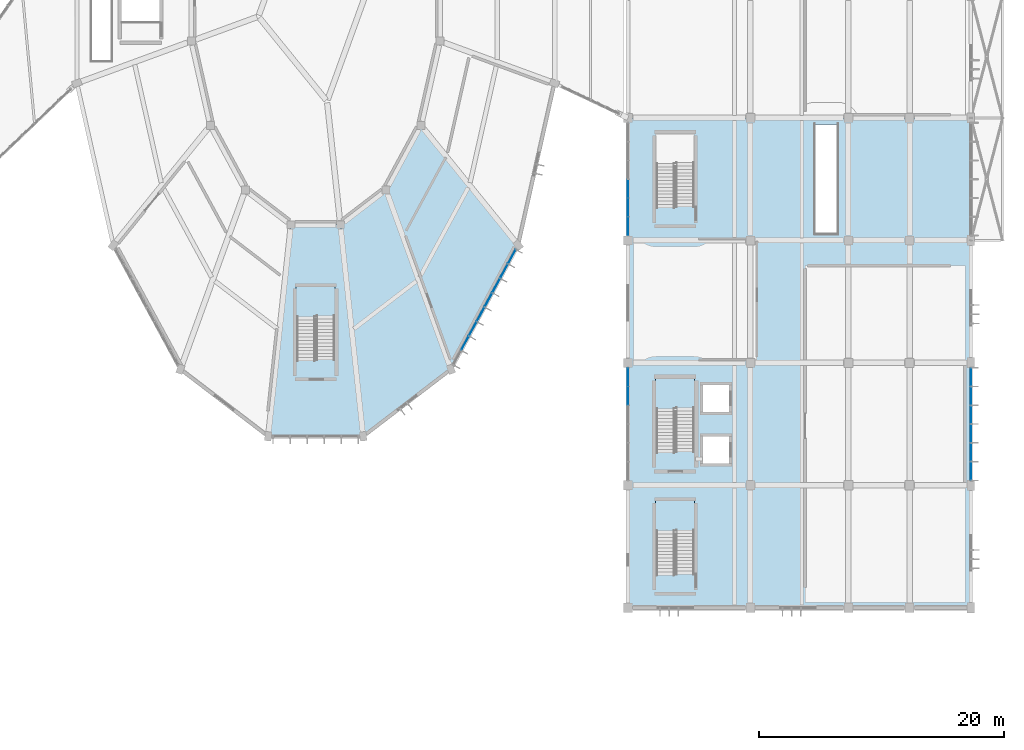
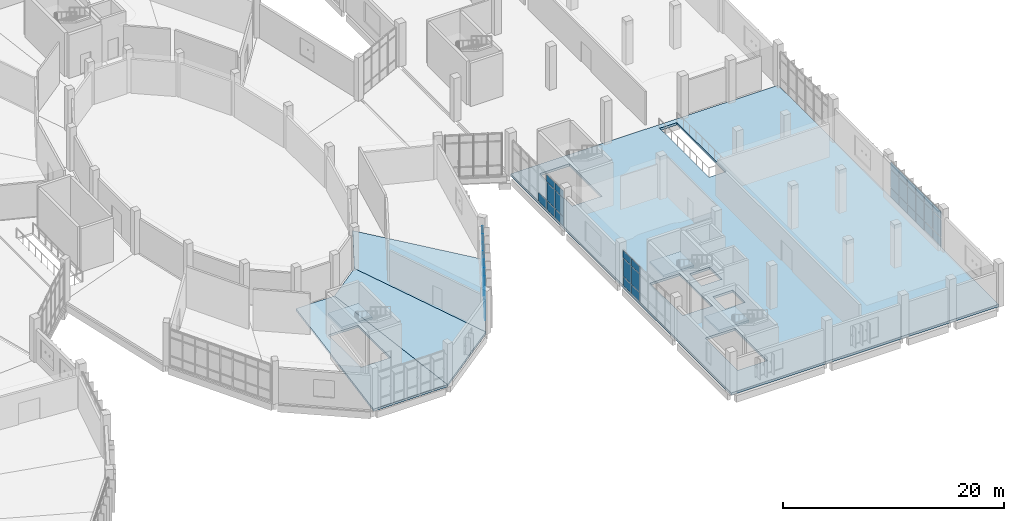
# One storey, part 101 of 179: 52 plates, 7 slabs, 7 elements without a shape of their own.
"""IFC4 building model written with IfcOpenShell, lengths in metres."""

from ifc_helpers import new_model, si_unit, direction, frame, origin, origin_2d, place, context, subcontext, project, spatial, polyline, rectangle, outline, extrude, material, layer, layer_set, type_object, element, aggregate, save


model = new_model("IFC4")

# Units and contexts
model_context = context("Model", 3, precision=1e-05, world=origin(), true_north=direction((0.0, 1.0)))
body_context = subcontext(model_context, "Body", "Model", "MODEL_VIEW")
ifc_project = project(units=[si_unit("LENGTHUNIT", "METRE"), si_unit("AREAUNIT", "SQUARE_METRE"), si_unit("VOLUMEUNIT", "CUBIC_METRE"), si_unit("PLANEANGLEUNIT", "RADIAN"), si_unit("MASSUNIT", "GRAM", prefix="KILO")], contexts=[model_context])

# Site, building, storey
site_placement = place(None, origin())
site = spatial("IfcSite", under=ifc_project, at=site_placement, CompositionType="ELEMENT")
building_placement = place(site_placement, origin())
building = spatial("IfcBuilding", under=site, at=building_placement, Name="Corvandel Quay Wholesale Market", CompositionType="ELEMENT")
storey_placement = place(building_placement, frame((0.0, 0.0, 6.0)))
storey = spatial("IfcBuildingStorey", under=building, at=storey_placement, Name="L01", CompositionType="ELEMENT", Elevation=6.0)

# Curtain wall, plates
ifc_material_1 = material(Name="Bronze anodised aluminium and low-E insulated glazing", Category="aluminium")
ifc_layer_1 = layer(ifc_material_1, 0.18603515625)
ifc_layer_set_1 = layer_set([ifc_layer_1], Name="Bronze anodised aluminium and low-E insulated glazing")
curtain_wall_type_1 = type_object("IfcCurtainWallType", Name="Stick Curtain Wall System CW23 H5070", PredefinedType="NOTDEFINED", material=ifc_layer_set_1)
curtain_wall_1_placement = place(storey_placement, origin())
curtain_wall_1 = element("IfcCurtainWall", 1, at=curtain_wall_1_placement, inside=storey, type_object=curtain_wall_type_1, Name="Curtain Wall CW-0140", PredefinedType="NOTDEFINED")
ifc_material_2 = material(Name="Solar-control low-E insulated glazing", Category="glass")
ifc_layer_2 = layer(ifc_material_2, 0.0400390625)
ifc_layer_set_2 = layer_set([ifc_layer_2], Name="Solar-control low-E insulated glazing")
plate_type_1 = type_object("IfcPlateType", Name="Ceramic Fritted Spandrel Panel PN03 40mm", PredefinedType="CURTAIN_PANEL", material=ifc_layer_set_2)
plate_1_placement = place(storey_placement, frame((206.693603515625, 31.599609375, 3.1298828125), z_axis=(0.0, 0.0, 1.0), x_axis=(0.476238203668, 0.879316310191, 0.0)))
plate_1 = element("IfcPlate", 2, at=plate_1_placement, type_object=plate_type_1, Name="Glazing Panel CW-0140-P01-2", PredefinedType="CURTAIN_PANEL", context=body_context, shape_type="SweptSolid", body=[
    extrude(rectangle(XDim=1.274658203125, YDim=0.0400390625, at=origin_2d()), origin(), (0.0, 0.0, 1.0), 0.7900390625),
])
plate_2_placement = place(storey_placement, frame((207.33154296875, 32.777587890625, 3.1298828125), z_axis=(0.0, 0.0, 1.0), x_axis=(0.476238203668, 0.879316310191, 0.0)))
plate_2 = element("IfcPlate", 3, at=plate_2_placement, type_object=plate_type_1, Name="Glazing Panel CW-0140-P02-2", PredefinedType="CURTAIN_PANEL", context=body_context, shape_type="SweptSolid", body=[
    extrude(rectangle(XDim=1.274658203125, YDim=0.0400390625, at=origin_2d()), origin(), (0.0, 0.0, 1.0), 0.7900390625),
])
plate_3_placement = place(storey_placement, frame((207.969482421875, 33.95556640625, 3.1298828125), z_axis=(0.0, 0.0, 1.0), x_axis=(0.476238203668, 0.879316310191, 0.0)))
plate_3 = element("IfcPlate", 4, at=plate_3_placement, type_object=plate_type_1, Name="Glazing Panel CW-0140-P03-2", PredefinedType="CURTAIN_PANEL", context=body_context, shape_type="SweptSolid", body=[
    extrude(rectangle(XDim=1.274658203125, YDim=0.0400390625, at=origin_2d()), origin(), (0.0, 0.0, 1.0), 0.7900390625),
])
plate_4_placement = place(storey_placement, frame((208.607421875, 35.133544921875, 3.1298828125), z_axis=(0.0, 0.0, 1.0), x_axis=(0.476238203668, 0.879316310191, 0.0)))
plate_4 = element("IfcPlate", 5, at=plate_4_placement, type_object=plate_type_1, Name="Glazing Panel CW-0140-P04-2", PredefinedType="CURTAIN_PANEL", context=body_context, shape_type="SweptSolid", body=[
    extrude(rectangle(XDim=1.274658203125, YDim=0.0400390625, at=origin_2d()), origin(), (0.0, 0.0, 1.0), 0.7900390625),
])
plate_5_placement = place(storey_placement, frame((209.24560546875, 36.311279296875, 3.1298828125), z_axis=(0.0, 0.0, 1.0), x_axis=(0.476238203668, 0.879316310191, 0.0)))
plate_5 = element("IfcPlate", 6, at=plate_5_placement, type_object=plate_type_1, Name="Glazing Panel CW-0140-P05-2", PredefinedType="CURTAIN_PANEL", context=body_context, shape_type="SweptSolid", body=[
    extrude(rectangle(XDim=1.274658203125, YDim=0.0400390625, at=origin_2d()), origin(), (0.0, 0.0, 1.0), 0.7900390625),
])
plate_6_placement = place(storey_placement, frame((209.883544921875, 37.489501953125, 3.1298828125), z_axis=(0.0, 0.0, 1.0), x_axis=(0.476238203668, 0.879316310191, 0.0)))
plate_6 = element("IfcPlate", 7, at=plate_6_placement, type_object=plate_type_1, Name="Glazing Panel CW-0140-P06-2", PredefinedType="CURTAIN_PANEL", context=body_context, shape_type="SweptSolid", body=[
    extrude(rectangle(XDim=1.274658203125, YDim=0.0400390625, at=origin_2d()), origin(), (0.0, 0.0, 1.0), 0.7900390625),
])
plate_7_placement = place(storey_placement, frame((210.521484375, 38.667236328125, 3.1298828125), z_axis=(0.0, 0.0, 1.0), x_axis=(0.476238203668, 0.879316310191, 0.0)))
plate_7 = element("IfcPlate", 8, at=plate_7_placement, type_object=plate_type_1, Name="Glazing Panel CW-0140-P07-2", PredefinedType="CURTAIN_PANEL", context=body_context, shape_type="SweptSolid", body=[
    extrude(rectangle(XDim=1.274658203125, YDim=0.0400390625, at=origin_2d()), origin(), (0.0, 0.0, 1.0), 0.7900390625),
])

ifc_layer_3 = layer(ifc_material_1, 0.197998046875)
ifc_layer_set_3 = layer_set([ifc_layer_3], Name="Bronze anodised aluminium and low-E insulated glazing")
curtain_wall_type_2 = type_object("IfcCurtainWallType", Name="Stick Curtain Wall System CW14 H4260", PredefinedType="NOTDEFINED", material=ifc_layer_set_3)
curtain_wall_2_placement = place(storey_placement, origin())
curtain_wall_2 = element("IfcCurtainWall", 9, at=curtain_wall_2_placement, inside=storey, type_object=curtain_wall_type_2, Name="Curtain Wall CW-0149", PredefinedType="NOTDEFINED")
plate_8_placement = place(storey_placement, frame((248.0, 21.166748046875, 3.1298828125), z_axis=(0.0, 0.0, 1.0), x_axis=(0.0, 1.0, 0.0)))
plate_8 = element("IfcPlate", 10, at=plate_8_placement, type_object=plate_type_1, Name="Glazing Panel CW-0149-P00-2", PredefinedType="CURTAIN_PANEL", context=body_context, shape_type="SweptSolid", body=[
    extrude(rectangle(XDim=1.46826171875, YDim=0.0400390625, at=origin_2d()), origin(), (0.0, 0.0, 1.0), 0.7900390625),
])
plate_9_placement = place(storey_placement, frame((248.0, 22.699951171875, 3.1298828125), z_axis=(0.0, 0.0, 1.0), x_axis=(0.0, 1.0, 0.0)))
plate_9 = element("IfcPlate", 11, at=plate_9_placement, type_object=plate_type_1, Name="Glazing Panel CW-0149-P01-2", PredefinedType="CURTAIN_PANEL", context=body_context, shape_type="SweptSolid", body=[
    extrude(rectangle(XDim=1.46826171875, YDim=0.0400390625, at=origin_2d()), origin(), (0.0, 0.0, 1.0), 0.7900390625),
])
plate_10_placement = place(storey_placement, frame((248.0, 24.2333984375, 3.1298828125), z_axis=(0.0, 0.0, 1.0), x_axis=(0.0, 1.0, 0.0)))
plate_10 = element("IfcPlate", 12, at=plate_10_placement, type_object=plate_type_1, Name="Glazing Panel CW-0149-P02-2", PredefinedType="CURTAIN_PANEL", context=body_context, shape_type="SweptSolid", body=[
    extrude(rectangle(XDim=1.46826171875, YDim=0.0400390625, at=origin_2d()), origin(), (0.0, 0.0, 1.0), 0.7900390625),
])
plate_11_placement = place(storey_placement, frame((248.0, 25.7666015625, 3.1298828125), z_axis=(0.0, 0.0, 1.0), x_axis=(0.0, 1.0, 0.0)))
plate_11 = element("IfcPlate", 13, at=plate_11_placement, type_object=plate_type_1, Name="Glazing Panel CW-0149-P03-2", PredefinedType="CURTAIN_PANEL", context=body_context, shape_type="SweptSolid", body=[
    extrude(rectangle(XDim=1.46826171875, YDim=0.0400390625, at=origin_2d()), origin(), (0.0, 0.0, 1.0), 0.7900390625),
])
plate_12_placement = place(storey_placement, frame((248.0, 27.300048828125, 3.1298828125), z_axis=(0.0, 0.0, 1.0), x_axis=(0.0, 1.0, 0.0)))
plate_12 = element("IfcPlate", 14, at=plate_12_placement, type_object=plate_type_1, Name="Glazing Panel CW-0149-P04-2", PredefinedType="CURTAIN_PANEL", context=body_context, shape_type="SweptSolid", body=[
    extrude(rectangle(XDim=1.46826171875, YDim=0.0400390625, at=origin_2d()), origin(), (0.0, 0.0, 1.0), 0.7900390625),
])
plate_13_placement = place(storey_placement, frame((248.0, 28.833251953125, 3.1298828125), z_axis=(0.0, 0.0, 1.0), x_axis=(0.0, 1.0, 0.0)))
plate_13 = element("IfcPlate", 15, at=plate_13_placement, type_object=plate_type_1, Name="Glazing Panel CW-0149-P05-2", PredefinedType="CURTAIN_PANEL", context=body_context, shape_type="SweptSolid", body=[
    extrude(rectangle(XDim=1.46826171875, YDim=0.0400390625, at=origin_2d()), origin(), (0.0, 0.0, 1.0), 0.7900390625),
])

ifc_layer_4 = layer(ifc_material_1, 0.14990234375)
ifc_layer_set_4 = layer_set([ifc_layer_4], Name="Bronze anodised aluminium and low-E insulated glazing")
curtain_wall_type_3 = type_object("IfcCurtainWallType", Name="Stick Curtain Wall System CW20 H4800", PredefinedType="NOTDEFINED", material=ifc_layer_set_4)
curtain_wall_3_placement = place(storey_placement, origin())
curtain_wall_3 = element("IfcCurtainWall", 16, at=curtain_wall_3_placement, inside=storey, type_object=curtain_wall_type_3, Name="Curtain Wall CW-0150", PredefinedType="NOTDEFINED")
plate_14_placement = place(storey_placement, frame((220.0, 27.300048828125, 3.1298828125), z_axis=(0.0, 0.0, 1.0), x_axis=(0.0, 1.0, 0.0)))
plate_14 = element("IfcPlate", 17, at=plate_14_placement, type_object=plate_type_1, Name="Glazing Panel CW-0150-P04-2", PredefinedType="CURTAIN_PANEL", context=body_context, shape_type="SweptSolid", body=[
    extrude(rectangle(XDim=1.46826171875, YDim=0.0400390625, at=origin_2d()), origin(), (0.0, 0.0, 1.0), 0.7900390625),
])
plate_15_placement = place(storey_placement, frame((220.0, 28.833251953125, 3.1298828125), z_axis=(0.0, 0.0, 1.0), x_axis=(0.0, 1.0, 0.0)))
plate_15 = element("IfcPlate", 18, at=plate_15_placement, type_object=plate_type_1, Name="Glazing Panel CW-0150-P05-2", PredefinedType="CURTAIN_PANEL", context=body_context, shape_type="SweptSolid", body=[
    extrude(rectangle(XDim=1.46826171875, YDim=0.0400390625, at=origin_2d()), origin(), (0.0, 0.0, 1.0), 0.7900390625),
])

ifc_layer_5 = layer(ifc_material_1, 0.174072265625)
ifc_layer_set_5 = layer_set([ifc_layer_5], Name="Bronze anodised aluminium and low-E insulated glazing")
curtain_wall_type_4 = type_object("IfcCurtainWallType", Name="Stick Curtain Wall System CW22 H4980", PredefinedType="NOTDEFINED", material=ifc_layer_set_5)
curtain_wall_4_placement = place(storey_placement, origin())
curtain_wall_4 = element("IfcCurtainWall", 19, at=curtain_wall_4_placement, inside=storey, type_object=curtain_wall_type_4, Name="Curtain Wall CW-0152", PredefinedType="NOTDEFINED")
plate_16_placement = place(storey_placement, frame((220.0, 41.166748046875, 3.1298828125), z_axis=(0.0, 0.0, 1.0), x_axis=(0.0, 1.0, 0.0)))
plate_16 = element("IfcPlate", 20, at=plate_16_placement, type_object=plate_type_1, Name="Glazing Panel CW-0152-P00-2", PredefinedType="CURTAIN_PANEL", context=body_context, shape_type="SweptSolid", body=[
    extrude(rectangle(XDim=1.46826171875, YDim=0.0400390625, at=origin_2d()), origin(), (0.0, 0.0, 1.0), 0.7900390625),
])
plate_17_placement = place(storey_placement, frame((220.0, 42.699951171875, 3.1298828125), z_axis=(0.0, 0.0, 1.0), x_axis=(0.0, 1.0, 0.0)))
plate_17 = element("IfcPlate", 21, at=plate_17_placement, type_object=plate_type_1, Name="Glazing Panel CW-0152-P01-2", PredefinedType="CURTAIN_PANEL", context=body_context, shape_type="SweptSolid", body=[
    extrude(rectangle(XDim=1.46826171875, YDim=0.0400390625, at=origin_2d()), origin(), (0.0, 0.0, 1.0), 0.7900390625),
])

# Slabs
ifc_material_3 = material(Name="Concrete C40/50", Category="concrete")
ifc_layer_6 = layer(ifc_material_3, 0.260009765625)
ifc_layer_set_6 = layer_set([ifc_layer_6], Name="Concrete C40/50")
slab_type_1 = type_object("IfcSlabType", Name="Composite Market Canteen Floor Slab 260", PredefinedType="FLOOR", material=ifc_layer_set_6)
slab_1_placement = place(storey_placement, frame((0.0, 0.0, -0.260009765625)))
element("IfcSlab", 22, at=slab_1_placement, inside=storey, type_object=slab_type_1, Name="Slab SLB-0463", PredefinedType="FLOOR", context=body_context, shape_type="SweptSolid", body=[
    extrude(outline(polyline([(220.0, 50.0), (248.0, 50.0), (248.0, 10.0), (220.0, 10.0), (220.0, 50.0)]), holes=[polyline([(225.39990234375, 12.800048828125), (225.39990234375, 18.699951171875), (222.300048828125, 18.699951171875), (222.300048828125, 12.800048828125), (225.39990234375, 12.800048828125)]), polyline([(228.25, 21.800048828125), (228.25, 24.0), (226.14990234375, 24.0), (226.14990234375, 21.800048828125), (228.25, 21.800048828125)]), polyline([(225.39990234375, 22.800048828125), (225.39990234375, 28.699951171875), (222.300048828125, 28.699951171875), (222.300048828125, 22.800048828125), (225.39990234375, 22.800048828125)]), polyline([(228.25, 26.0), (228.25, 28.199951171875), (226.14990234375, 28.199951171875), (226.14990234375, 26.0), (228.25, 26.0)]), polyline([(235.300048828125, 40.550048828125), (237.10009765625, 40.550048828125), (237.10009765625, 49.47998046875), (235.300048828125, 49.47998046875), (235.300048828125, 40.550048828125)]), polyline([(225.39990234375, 42.800048828125), (225.39990234375, 48.699951171875), (222.300048828125, 48.699951171875), (222.300048828125, 42.800048828125), (225.39990234375, 42.800048828125)])]), origin(), (0.0, 0.0, 1.0), 0.260009765625),
])
ifc_layer_7 = layer(ifc_material_3, 0.239990234375)
ifc_layer_set_7 = layer_set([ifc_layer_7], Name="Concrete C40/50")
slab_type_2 = type_object("IfcSlabType", Name="Composite Raked Auction Tier Slab 240", PredefinedType="FLOOR", material=ifc_layer_set_7)
slab_2_placement = place(storey_placement, frame((0.0, 0.0, -0.239990234375)))
element("IfcSlab", 23, at=slab_2_placement, inside=storey, type_object=slab_type_2, Name="Slab SLB-0428", PredefinedType="FLOOR", context=body_context, shape_type="SweptSolid", body=[
    extrude(outline(polyline([(192.48291015625, 41.280029296875), (196.51708984375, 41.280029296875), (198.37890625, 24.0), (190.62109375, 24.0), (192.48291015625, 41.280029296875)]), holes=[polyline([(192.949951171875, 30.300048828125), (196.050048828125, 30.300048828125), (196.050048828125, 36.199951171875), (192.949951171875, 36.199951171875), (192.949951171875, 30.300048828125)])]), origin(), (0.0, 0.0, 1.0), 0.239990234375),
])
slab_3_placement = place(storey_placement, frame((0.0, 0.0, -0.239990234375)))
element("IfcSlab", 24, at=slab_3_placement, inside=storey, type_object=slab_type_2, Name="Slab SLB-0432", PredefinedType="FLOOR", context=body_context, shape_type="SweptSolid", body=[
    extrude(outline(polyline([(196.51708984375, 41.280029296875), (200.243896484375, 44.1298828125), (205.5458984375, 29.48095703125), (198.37890625, 24.0), (196.51708984375, 41.280029296875)])), origin(), (0.0, 0.0, 1.0), 0.239990234375),
])
slab_4_placement = place(storey_placement, frame((0.0, 0.0, -0.239990234375)))
element("IfcSlab", 25, at=slab_4_placement, inside=storey, type_object=slab_type_2, Name="Slab SLB-0436", PredefinedType="FLOOR", context=body_context, shape_type="SweptSolid", body=[
    extrude(outline(polyline([(200.243896484375, 44.1298828125), (203.095947265625, 49.39599609375), (211.031005859375, 39.60791015625), (205.5458984375, 29.48095703125), (200.243896484375, 44.1298828125)])), origin(), (0.0, 0.0, 1.0), 0.239990234375),
])

# Plate
ifc_layer_8 = layer(ifc_material_2, 0.028076171875)
ifc_layer_set_8 = layer_set([ifc_layer_8], Name="Solar-control low-E insulated glazing")
plate_type_2 = type_object("IfcPlateType", Name="Double Low-E Vision Panel PN01 28mm", PredefinedType="CURTAIN_PANEL", material=ifc_layer_set_8)
plate_18_placement = place(storey_placement, frame((206.693603515625, 31.599609375, 0.02978515625), z_axis=(0.0, 0.0, 1.0), x_axis=(0.476238203668, 0.879316310191, 0.0)))
plate_18 = element("IfcPlate", 26, at=plate_18_placement, type_object=plate_type_2, Name="Glazing Panel CW-0140-P01-0", PredefinedType="CURTAIN_PANEL", context=body_context, shape_type="SweptSolid", body=[
    extrude(rectangle(XDim=1.274658203125, YDim=0.028076171875, at=origin_2d()), origin(), (0.0, 0.0, 1.0), 0.989990234375),
])

plate_19_placement = place(storey_placement, frame((206.693603515625, 31.599609375, 1.080078125), z_axis=(0.0, 0.0, 1.0), x_axis=(0.476238203668, 0.879316310191, 0.0)))
plate_19 = element("IfcPlate", 27, at=plate_19_placement, type_object=plate_type_2, Name="Glazing Panel CW-0140-P01-1", PredefinedType="CURTAIN_PANEL", context=body_context, shape_type="SweptSolid", body=[
    extrude(rectangle(XDim=1.274658203125, YDim=0.028076171875, at=origin_2d()), origin(), (0.0, 0.0, 1.0), 1.989990234375),
])

plate_20_placement = place(storey_placement, frame((207.33154296875, 32.777587890625, 0.02978515625), z_axis=(0.0, 0.0, 1.0), x_axis=(0.476238203668, 0.879316310191, 0.0)))
plate_20 = element("IfcPlate", 28, at=plate_20_placement, type_object=plate_type_2, Name="Glazing Panel CW-0140-P02-0", PredefinedType="CURTAIN_PANEL", context=body_context, shape_type="SweptSolid", body=[
    extrude(rectangle(XDim=1.274658203125, YDim=0.028076171875, at=origin_2d()), origin(), (0.0, 0.0, 1.0), 0.989990234375),
])

plate_21_placement = place(storey_placement, frame((207.33154296875, 32.777587890625, 1.080078125), z_axis=(0.0, 0.0, 1.0), x_axis=(0.476238203668, 0.879316310191, 0.0)))
plate_21 = element("IfcPlate", 29, at=plate_21_placement, type_object=plate_type_2, Name="Glazing Panel CW-0140-P02-1", PredefinedType="CURTAIN_PANEL", context=body_context, shape_type="SweptSolid", body=[
    extrude(rectangle(XDim=1.274658203125, YDim=0.028076171875, at=origin_2d()), origin(), (0.0, 0.0, 1.0), 1.989990234375),
])

plate_22_placement = place(storey_placement, frame((207.969482421875, 33.95556640625, 0.02978515625), z_axis=(0.0, 0.0, 1.0), x_axis=(0.476238203668, 0.879316310191, 0.0)))
plate_22 = element("IfcPlate", 30, at=plate_22_placement, type_object=plate_type_2, Name="Glazing Panel CW-0140-P03-0", PredefinedType="CURTAIN_PANEL", context=body_context, shape_type="SweptSolid", body=[
    extrude(rectangle(XDim=1.274658203125, YDim=0.028076171875, at=origin_2d()), origin(), (0.0, 0.0, 1.0), 0.989990234375),
])

plate_23_placement = place(storey_placement, frame((207.969482421875, 33.95556640625, 1.080078125), z_axis=(0.0, 0.0, 1.0), x_axis=(0.476238203668, 0.879316310191, 0.0)))
plate_23 = element("IfcPlate", 31, at=plate_23_placement, type_object=plate_type_2, Name="Glazing Panel CW-0140-P03-1", PredefinedType="CURTAIN_PANEL", context=body_context, shape_type="SweptSolid", body=[
    extrude(rectangle(XDim=1.274658203125, YDim=0.028076171875, at=origin_2d()), origin(), (0.0, 0.0, 1.0), 1.989990234375),
])

plate_24_placement = place(storey_placement, frame((208.607421875, 35.133544921875, 0.02978515625), z_axis=(0.0, 0.0, 1.0), x_axis=(0.476238203668, 0.879316310191, 0.0)))
plate_24 = element("IfcPlate", 32, at=plate_24_placement, type_object=plate_type_2, Name="Glazing Panel CW-0140-P04-0", PredefinedType="CURTAIN_PANEL", context=body_context, shape_type="SweptSolid", body=[
    extrude(rectangle(XDim=1.274658203125, YDim=0.028076171875, at=origin_2d()), origin(), (0.0, 0.0, 1.0), 0.989990234375),
])

plate_25_placement = place(storey_placement, frame((208.607421875, 35.133544921875, 1.080078125), z_axis=(0.0, 0.0, 1.0), x_axis=(0.476238203668, 0.879316310191, 0.0)))
plate_25 = element("IfcPlate", 33, at=plate_25_placement, type_object=plate_type_2, Name="Glazing Panel CW-0140-P04-1", PredefinedType="CURTAIN_PANEL", context=body_context, shape_type="SweptSolid", body=[
    extrude(rectangle(XDim=1.274658203125, YDim=0.028076171875, at=origin_2d()), origin(), (0.0, 0.0, 1.0), 1.989990234375),
])

plate_26_placement = place(storey_placement, frame((209.24560546875, 36.311279296875, 0.02978515625), z_axis=(0.0, 0.0, 1.0), x_axis=(0.476238203668, 0.879316310191, 0.0)))
plate_26 = element("IfcPlate", 34, at=plate_26_placement, type_object=plate_type_2, Name="Glazing Panel CW-0140-P05-0", PredefinedType="CURTAIN_PANEL", context=body_context, shape_type="SweptSolid", body=[
    extrude(rectangle(XDim=1.274658203125, YDim=0.028076171875, at=origin_2d()), origin(), (0.0, 0.0, 1.0), 0.989990234375),
])

plate_27_placement = place(storey_placement, frame((209.24560546875, 36.311279296875, 1.080078125), z_axis=(0.0, 0.0, 1.0), x_axis=(0.476238203668, 0.879316310191, 0.0)))
plate_27 = element("IfcPlate", 35, at=plate_27_placement, type_object=plate_type_2, Name="Glazing Panel CW-0140-P05-1", PredefinedType="CURTAIN_PANEL", context=body_context, shape_type="SweptSolid", body=[
    extrude(rectangle(XDim=1.274658203125, YDim=0.028076171875, at=origin_2d()), origin(), (0.0, 0.0, 1.0), 1.989990234375),
])

plate_28_placement = place(storey_placement, frame((209.883544921875, 37.489501953125, 0.02978515625), z_axis=(0.0, 0.0, 1.0), x_axis=(0.476238203668, 0.879316310191, 0.0)))
plate_28 = element("IfcPlate", 36, at=plate_28_placement, type_object=plate_type_2, Name="Glazing Panel CW-0140-P06-0", PredefinedType="CURTAIN_PANEL", context=body_context, shape_type="SweptSolid", body=[
    extrude(rectangle(XDim=1.274658203125, YDim=0.028076171875, at=origin_2d()), origin(), (0.0, 0.0, 1.0), 0.989990234375),
])

plate_29_placement = place(storey_placement, frame((209.883544921875, 37.489501953125, 1.080078125), z_axis=(0.0, 0.0, 1.0), x_axis=(0.476238203668, 0.879316310191, 0.0)))
plate_29 = element("IfcPlate", 37, at=plate_29_placement, type_object=plate_type_2, Name="Glazing Panel CW-0140-P06-1", PredefinedType="CURTAIN_PANEL", context=body_context, shape_type="SweptSolid", body=[
    extrude(rectangle(XDim=1.274658203125, YDim=0.028076171875, at=origin_2d()), origin(), (0.0, 0.0, 1.0), 1.989990234375),
])

plate_30_placement = place(storey_placement, frame((210.521484375, 38.667236328125, 0.02978515625), z_axis=(0.0, 0.0, 1.0), x_axis=(0.476238203668, 0.879316310191, 0.0)))
plate_30 = element("IfcPlate", 38, at=plate_30_placement, type_object=plate_type_2, Name="Glazing Panel CW-0140-P07-0", PredefinedType="CURTAIN_PANEL", context=body_context, shape_type="SweptSolid", body=[
    extrude(rectangle(XDim=1.274658203125, YDim=0.028076171875, at=origin_2d()), origin(), (0.0, 0.0, 1.0), 0.989990234375),
])

plate_31_placement = place(storey_placement, frame((210.521484375, 38.667236328125, 1.080078125), z_axis=(0.0, 0.0, 1.0), x_axis=(0.476238203668, 0.879316310191, 0.0)))
plate_31 = element("IfcPlate", 39, at=plate_31_placement, type_object=plate_type_2, Name="Glazing Panel CW-0140-P07-1", PredefinedType="CURTAIN_PANEL", context=body_context, shape_type="SweptSolid", body=[
    extrude(rectangle(XDim=1.274658203125, YDim=0.028076171875, at=origin_2d()), origin(), (0.0, 0.0, 1.0), 1.989990234375),
])

aggregate(curtain_wall_1, [plate_18, plate_19, plate_1, plate_20, plate_21, plate_2, plate_22, plate_23, plate_3, plate_24, plate_25, plate_4, plate_26, plate_27, plate_5, plate_28, plate_29, plate_6, plate_30, plate_31, plate_7])

plate_32_placement = place(storey_placement, frame((248.0, 21.166748046875, 0.02978515625), z_axis=(0.0, 0.0, 1.0), x_axis=(0.0, 1.0, 0.0)))
plate_32 = element("IfcPlate", 40, at=plate_32_placement, type_object=plate_type_2, Name="Glazing Panel CW-0149-P00-0", PredefinedType="CURTAIN_PANEL", context=body_context, shape_type="SweptSolid", body=[
    extrude(rectangle(XDim=1.46826171875, YDim=0.028076171875, at=origin_2d()), origin(), (0.0, 0.0, 1.0), 0.989990234375),
])

plate_33_placement = place(storey_placement, frame((248.0, 21.166748046875, 1.080078125), z_axis=(0.0, 0.0, 1.0), x_axis=(0.0, 1.0, 0.0)))
plate_33 = element("IfcPlate", 41, at=plate_33_placement, type_object=plate_type_2, Name="Glazing Panel CW-0149-P00-1", PredefinedType="CURTAIN_PANEL", context=body_context, shape_type="SweptSolid", body=[
    extrude(rectangle(XDim=1.46826171875, YDim=0.028076171875, at=origin_2d()), origin(), (0.0, 0.0, 1.0), 1.989990234375),
])

plate_34_placement = place(storey_placement, frame((248.0, 22.699951171875, 0.02978515625), z_axis=(0.0, 0.0, 1.0), x_axis=(0.0, 1.0, 0.0)))
plate_34 = element("IfcPlate", 42, at=plate_34_placement, type_object=plate_type_2, Name="Glazing Panel CW-0149-P01-0", PredefinedType="CURTAIN_PANEL", context=body_context, shape_type="SweptSolid", body=[
    extrude(rectangle(XDim=1.46826171875, YDim=0.028076171875, at=origin_2d()), origin(), (0.0, 0.0, 1.0), 0.989990234375),
])

plate_35_placement = place(storey_placement, frame((248.0, 22.699951171875, 1.080078125), z_axis=(0.0, 0.0, 1.0), x_axis=(0.0, 1.0, 0.0)))
plate_35 = element("IfcPlate", 43, at=plate_35_placement, type_object=plate_type_2, Name="Glazing Panel CW-0149-P01-1", PredefinedType="CURTAIN_PANEL", context=body_context, shape_type="SweptSolid", body=[
    extrude(rectangle(XDim=1.46826171875, YDim=0.028076171875, at=origin_2d()), origin(), (0.0, 0.0, 1.0), 1.989990234375),
])

plate_36_placement = place(storey_placement, frame((248.0, 24.2333984375, 0.02978515625), z_axis=(0.0, 0.0, 1.0), x_axis=(0.0, 1.0, 0.0)))
plate_36 = element("IfcPlate", 44, at=plate_36_placement, type_object=plate_type_2, Name="Glazing Panel CW-0149-P02-0", PredefinedType="CURTAIN_PANEL", context=body_context, shape_type="SweptSolid", body=[
    extrude(rectangle(XDim=1.46826171875, YDim=0.028076171875, at=origin_2d()), origin(), (0.0, 0.0, 1.0), 0.989990234375),
])

plate_37_placement = place(storey_placement, frame((248.0, 24.2333984375, 1.080078125), z_axis=(0.0, 0.0, 1.0), x_axis=(0.0, 1.0, 0.0)))
plate_37 = element("IfcPlate", 45, at=plate_37_placement, type_object=plate_type_2, Name="Glazing Panel CW-0149-P02-1", PredefinedType="CURTAIN_PANEL", context=body_context, shape_type="SweptSolid", body=[
    extrude(rectangle(XDim=1.46826171875, YDim=0.028076171875, at=origin_2d()), origin(), (0.0, 0.0, 1.0), 1.989990234375),
])

plate_38_placement = place(storey_placement, frame((248.0, 25.7666015625, 0.02978515625), z_axis=(0.0, 0.0, 1.0), x_axis=(0.0, 1.0, 0.0)))
plate_38 = element("IfcPlate", 46, at=plate_38_placement, type_object=plate_type_2, Name="Glazing Panel CW-0149-P03-0", PredefinedType="CURTAIN_PANEL", context=body_context, shape_type="SweptSolid", body=[
    extrude(rectangle(XDim=1.46826171875, YDim=0.028076171875, at=origin_2d()), origin(), (0.0, 0.0, 1.0), 0.989990234375),
])

plate_39_placement = place(storey_placement, frame((248.0, 25.7666015625, 1.080078125), z_axis=(0.0, 0.0, 1.0), x_axis=(0.0, 1.0, 0.0)))
plate_39 = element("IfcPlate", 47, at=plate_39_placement, type_object=plate_type_2, Name="Glazing Panel CW-0149-P03-1", PredefinedType="CURTAIN_PANEL", context=body_context, shape_type="SweptSolid", body=[
    extrude(rectangle(XDim=1.46826171875, YDim=0.028076171875, at=origin_2d()), origin(), (0.0, 0.0, 1.0), 1.989990234375),
])

plate_40_placement = place(storey_placement, frame((248.0, 27.300048828125, 0.02978515625), z_axis=(0.0, 0.0, 1.0), x_axis=(0.0, 1.0, 0.0)))
plate_40 = element("IfcPlate", 48, at=plate_40_placement, type_object=plate_type_2, Name="Glazing Panel CW-0149-P04-0", PredefinedType="CURTAIN_PANEL", context=body_context, shape_type="SweptSolid", body=[
    extrude(rectangle(XDim=1.46826171875, YDim=0.028076171875, at=origin_2d()), origin(), (0.0, 0.0, 1.0), 0.989990234375),
])

plate_41_placement = place(storey_placement, frame((248.0, 27.300048828125, 1.080078125), z_axis=(0.0, 0.0, 1.0), x_axis=(0.0, 1.0, 0.0)))
plate_41 = element("IfcPlate", 49, at=plate_41_placement, type_object=plate_type_2, Name="Glazing Panel CW-0149-P04-1", PredefinedType="CURTAIN_PANEL", context=body_context, shape_type="SweptSolid", body=[
    extrude(rectangle(XDim=1.46826171875, YDim=0.028076171875, at=origin_2d()), origin(), (0.0, 0.0, 1.0), 1.989990234375),
])

plate_42_placement = place(storey_placement, frame((248.0, 28.833251953125, 0.02978515625), z_axis=(0.0, 0.0, 1.0), x_axis=(0.0, 1.0, 0.0)))
plate_42 = element("IfcPlate", 50, at=plate_42_placement, type_object=plate_type_2, Name="Glazing Panel CW-0149-P05-0", PredefinedType="CURTAIN_PANEL", context=body_context, shape_type="SweptSolid", body=[
    extrude(rectangle(XDim=1.46826171875, YDim=0.028076171875, at=origin_2d()), origin(), (0.0, 0.0, 1.0), 0.989990234375),
])

plate_43_placement = place(storey_placement, frame((248.0, 28.833251953125, 1.080078125), z_axis=(0.0, 0.0, 1.0), x_axis=(0.0, 1.0, 0.0)))
plate_43 = element("IfcPlate", 51, at=plate_43_placement, type_object=plate_type_2, Name="Glazing Panel CW-0149-P05-1", PredefinedType="CURTAIN_PANEL", context=body_context, shape_type="SweptSolid", body=[
    extrude(rectangle(XDim=1.46826171875, YDim=0.028076171875, at=origin_2d()), origin(), (0.0, 0.0, 1.0), 1.989990234375),
])

aggregate(curtain_wall_2, [plate_32, plate_33, plate_8, plate_34, plate_35, plate_9, plate_36, plate_37, plate_10, plate_38, plate_39, plate_11, plate_40, plate_41, plate_12, plate_42, plate_43, plate_13])

plate_44_placement = place(storey_placement, frame((220.0, 27.300048828125, 0.02978515625), z_axis=(0.0, 0.0, 1.0), x_axis=(0.0, 1.0, 0.0)))
plate_44 = element("IfcPlate", 52, at=plate_44_placement, type_object=plate_type_2, Name="Glazing Panel CW-0150-P04-0", PredefinedType="CURTAIN_PANEL", context=body_context, shape_type="SweptSolid", body=[
    extrude(rectangle(XDim=1.46826171875, YDim=0.028076171875, at=origin_2d()), origin(), (0.0, 0.0, 1.0), 0.989990234375),
])

plate_45_placement = place(storey_placement, frame((220.0, 27.300048828125, 1.080078125), z_axis=(0.0, 0.0, 1.0), x_axis=(0.0, 1.0, 0.0)))
plate_45 = element("IfcPlate", 53, at=plate_45_placement, type_object=plate_type_2, Name="Glazing Panel CW-0150-P04-1", PredefinedType="CURTAIN_PANEL", context=body_context, shape_type="SweptSolid", body=[
    extrude(rectangle(XDim=1.46826171875, YDim=0.028076171875, at=origin_2d()), origin(), (0.0, 0.0, 1.0), 1.989990234375),
])

plate_46_placement = place(storey_placement, frame((220.0, 28.833251953125, 0.02978515625), z_axis=(0.0, 0.0, 1.0), x_axis=(0.0, 1.0, 0.0)))
plate_46 = element("IfcPlate", 54, at=plate_46_placement, type_object=plate_type_2, Name="Glazing Panel CW-0150-P05-0", PredefinedType="CURTAIN_PANEL", context=body_context, shape_type="SweptSolid", body=[
    extrude(rectangle(XDim=1.46826171875, YDim=0.028076171875, at=origin_2d()), origin(), (0.0, 0.0, 1.0), 0.989990234375),
])

plate_47_placement = place(storey_placement, frame((220.0, 28.833251953125, 1.080078125), z_axis=(0.0, 0.0, 1.0), x_axis=(0.0, 1.0, 0.0)))
plate_47 = element("IfcPlate", 55, at=plate_47_placement, type_object=plate_type_2, Name="Glazing Panel CW-0150-P05-1", PredefinedType="CURTAIN_PANEL", context=body_context, shape_type="SweptSolid", body=[
    extrude(rectangle(XDim=1.46826171875, YDim=0.028076171875, at=origin_2d()), origin(), (0.0, 0.0, 1.0), 1.989990234375),
])

aggregate(curtain_wall_3, [plate_44, plate_45, plate_14, plate_46, plate_47, plate_15])

plate_48_placement = place(storey_placement, frame((220.0, 41.166748046875, 0.02978515625), z_axis=(0.0, 0.0, 1.0), x_axis=(0.0, 1.0, 0.0)))
plate_48 = element("IfcPlate", 56, at=plate_48_placement, type_object=plate_type_2, Name="Glazing Panel CW-0152-P00-0", PredefinedType="CURTAIN_PANEL", context=body_context, shape_type="SweptSolid", body=[
    extrude(rectangle(XDim=1.46826171875, YDim=0.028076171875, at=origin_2d()), origin(), (0.0, 0.0, 1.0), 0.989990234375),
])

plate_49_placement = place(storey_placement, frame((220.0, 41.166748046875, 1.080078125), z_axis=(0.0, 0.0, 1.0), x_axis=(0.0, 1.0, 0.0)))
plate_49 = element("IfcPlate", 57, at=plate_49_placement, type_object=plate_type_2, Name="Glazing Panel CW-0152-P00-1", PredefinedType="CURTAIN_PANEL", context=body_context, shape_type="SweptSolid", body=[
    extrude(rectangle(XDim=1.46826171875, YDim=0.028076171875, at=origin_2d()), origin(), (0.0, 0.0, 1.0), 1.989990234375),
])

plate_50_placement = place(storey_placement, frame((220.0, 42.699951171875, 0.02978515625), z_axis=(0.0, 0.0, 1.0), x_axis=(0.0, 1.0, 0.0)))
plate_50 = element("IfcPlate", 58, at=plate_50_placement, type_object=plate_type_2, Name="Glazing Panel CW-0152-P01-0", PredefinedType="CURTAIN_PANEL", context=body_context, shape_type="SweptSolid", body=[
    extrude(rectangle(XDim=1.46826171875, YDim=0.028076171875, at=origin_2d()), origin(), (0.0, 0.0, 1.0), 0.989990234375),
])

plate_51_placement = place(storey_placement, frame((220.0, 42.699951171875, 1.080078125), z_axis=(0.0, 0.0, 1.0), x_axis=(0.0, 1.0, 0.0)))
plate_51 = element("IfcPlate", 59, at=plate_51_placement, type_object=plate_type_2, Name="Glazing Panel CW-0152-P01-1", PredefinedType="CURTAIN_PANEL", context=body_context, shape_type="SweptSolid", body=[
    extrude(rectangle(XDim=1.46826171875, YDim=0.028076171875, at=origin_2d()), origin(), (0.0, 0.0, 1.0), 1.989990234375),
])

plate_52_placement = place(storey_placement, frame((220.0, 44.2333984375, 0.02978515625), z_axis=(0.0, 0.0, 1.0), x_axis=(0.0, 1.0, 0.0)))
plate_52 = element("IfcPlate", 60, at=plate_52_placement, type_object=plate_type_2, Name="Glazing Panel CW-0152-P02-0", PredefinedType="CURTAIN_PANEL", context=body_context, shape_type="SweptSolid", body=[
    extrude(rectangle(XDim=1.46826171875, YDim=0.028076171875, at=origin_2d()), origin(), (0.0, 0.0, 1.0), 0.989990234375),
])

aggregate(curtain_wall_4, [plate_48, plate_49, plate_16, plate_50, plate_51, plate_17, plate_52])

# Stair, slab
stair_type = type_object("IfcStairType", Name="Exit Stair Two-Return L01-L02 ST02", PredefinedType="USERDEFINED", material=ifc_material_3)
stair_1_placement = place(storey_placement, origin())
stair_1 = element("IfcStair", 61, at=stair_1_placement, inside=storey, type_object=stair_type, Name="Exit Stair STR-016", ObjectType="TWO_RETURN_STAIR", PredefinedType="USERDEFINED")
ifc_layer_9 = layer(ifc_material_3, 0.219970703125)
ifc_layer_set_9 = layer_set([ifc_layer_9], Name="Concrete C40/50")
slab_type_3 = type_object("IfcSlabType", Name="Precast Stair Landing LND02 220", PredefinedType="LANDING", material=ifc_layer_set_9)
slab_5_placement = place(storey_placement, frame((0.0, 0.0, 2.179931640625)))
slab_5 = element("IfcSlab", 62, at=slab_5_placement, type_object=slab_type_3, Name="Stair Landing STR-016-LND", PredefinedType="LANDING", context=body_context, shape_type="SweptSolid", body=[
    extrude(outline(polyline([(192.909912109375, 33.68994140625), (196.090087890625, 33.68994140625), (196.090087890625, 36.239990234375), (192.909912109375, 36.239990234375), (192.909912109375, 33.68994140625)])), origin(), (0.0, 0.0, 1.0), 0.219970703125),
])
aggregate(stair_1, [slab_5])

stair_2_placement = place(storey_placement, origin())
stair_2 = element("IfcStair", 63, at=stair_2_placement, inside=storey, type_object=stair_type, Name="Exit Stair STR-027", ObjectType="TWO_RETURN_STAIR", PredefinedType="USERDEFINED")
slab_6_placement = place(storey_placement, frame((0.0, 0.0, 2.179931640625)))
slab_6 = element("IfcSlab", 64, at=slab_6_placement, type_object=slab_type_3, Name="Stair Landing STR-027-LND", PredefinedType="LANDING", context=body_context, shape_type="SweptSolid", body=[
    extrude(outline(polyline([(222.260009765625, 26.18994140625), (225.43994140625, 26.18994140625), (225.43994140625, 28.739990234375), (222.260009765625, 28.739990234375), (222.260009765625, 26.18994140625)])), origin(), (0.0, 0.0, 1.0), 0.219970703125),
])
aggregate(stair_2, [slab_6])

stair_3_placement = place(storey_placement, origin())
stair_3 = element("IfcStair", 65, at=stair_3_placement, inside=storey, type_object=stair_type, Name="Exit Stair STR-036", ObjectType="TWO_RETURN_STAIR", PredefinedType="USERDEFINED")
slab_7_placement = place(storey_placement, frame((0.0, 0.0, 2.179931640625)))
slab_7 = element("IfcSlab", 66, at=slab_7_placement, type_object=slab_type_3, Name="Stair Landing STR-036-LND", PredefinedType="LANDING", context=body_context, shape_type="SweptSolid", body=[
    extrude(outline(polyline([(222.260009765625, 16.18994140625), (225.43994140625, 16.18994140625), (225.43994140625, 18.739990234375), (222.260009765625, 18.739990234375), (222.260009765625, 16.18994140625)])), origin(), (0.0, 0.0, 1.0), 0.219970703125),
])
aggregate(stair_3, [slab_7])

save(model, "model.ifc")
